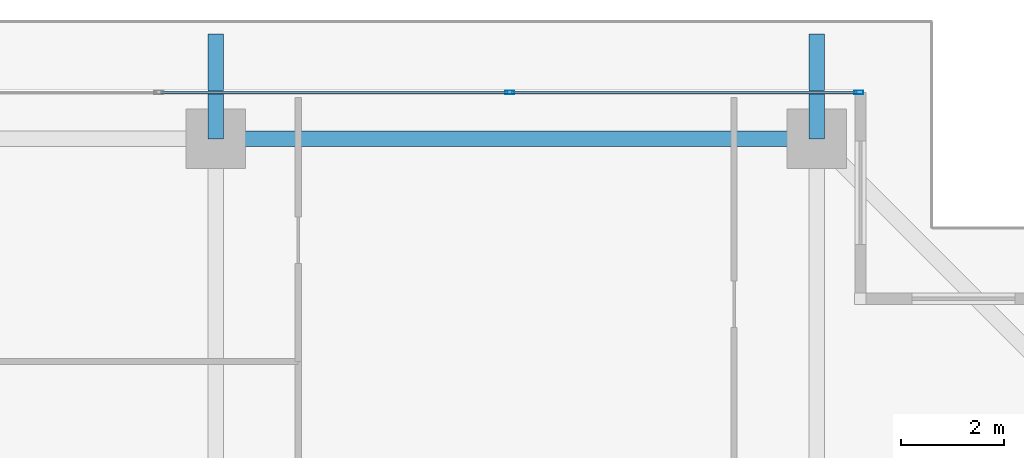
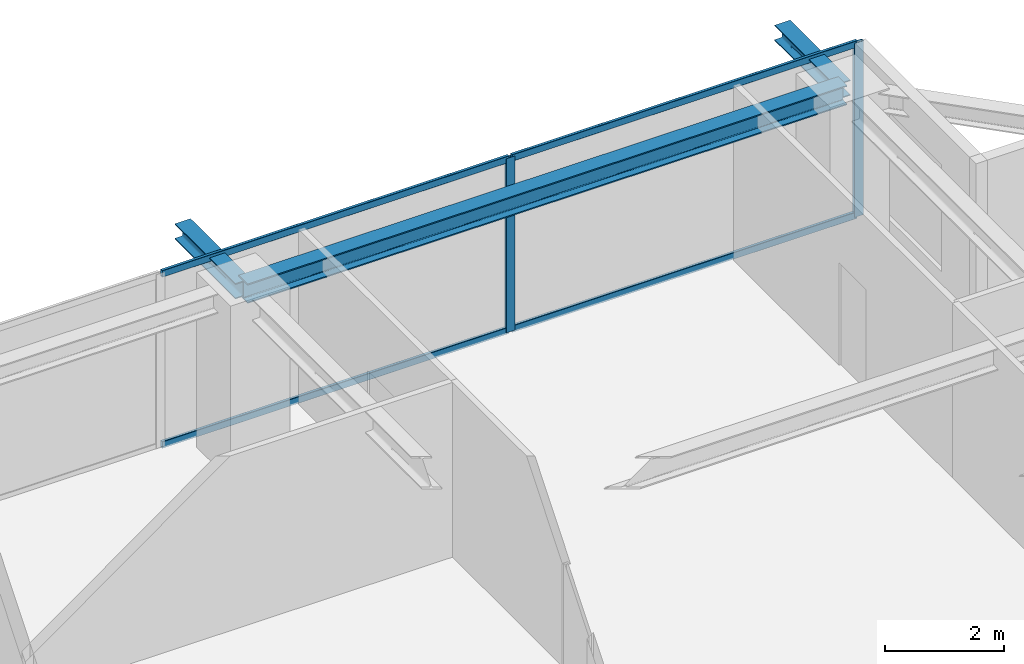
# One storey, part 23 of 36: 6 members, 3 beams, 1 element without a shape of its own.
"""IFC4 building model written with IfcOpenShell, lengths in metres."""

import ifcopenshell
import ifcopenshell.guid

model = None  # the IFC model being written
_history = None  # IfcOwnerHistory: only IFC2X3 demands one
_inside = {}  # id of a spatial element -> (the spatial element, [elements in it])
_under = {}  # id of a project, library or spatial element -> (it, [spatial elements below it])
_declared = {}  # id of a project -> (the project, [libraries it declares])
_typed = {}  # id of a type object -> (the type object, [elements of that type])
_made_of = {}  # id of a material, layer set ... -> (it, [elements and type objects made of it])


def new_model(schema):
    """Start an empty IFC model of exactly this schema.

    Asked for "IFC4X3", IfcOpenShell would pick the latest addendum, in which some entities
    have other attributes; the version numbers below select the first issue.
    IFC2X3 requires an IfcOwnerHistory on every rooted entity: one is made here for all.
    """
    global model, _history
    if schema == "IFC4X3":
        model = ifcopenshell.file(schema_version=(4, 3, 0, 0))
    else:
        model = ifcopenshell.file(schema=schema)
    _inside.clear()
    _under.clear()
    _declared.clear()
    _typed.clear()
    _made_of.clear()
    _history = None
    if model.schema == "IFC2X3":
        org = make("IfcOrganization", Name="unknown")
        user = make(
            "IfcPersonAndOrganization",
            ThePerson=make("IfcPerson", FamilyName="unknown"),
            TheOrganization=org,
        )
        app = make(
            "IfcApplication",
            ApplicationDeveloper=org,
            Version="unknown",
            ApplicationFullName="unknown",
            ApplicationIdentifier="unknown",
        )
        _history = make(
            "IfcOwnerHistory",
            OwningUser=user,
            OwningApplication=app,
            ChangeAction="ADDED",
            CreationDate=0,
        )
    return model


def make(cls, **values):
    """One entity of the class cls with the attributes given. An attribute that is None is left unset."""
    return model.create_entity(
        cls, **{name: value for name, value in values.items() if value is not None}
    )


def rooted(cls, **values):
    """An entity with a GlobalId (a new one), such as an element, a storey or a relation."""
    return make(cls, GlobalId=ifcopenshell.guid.new(), OwnerHistory=_history, **values)


def si_unit(unit_type, name, prefix=None):
    """IfcSIUnit, for example si_unit("LENGTHUNIT", "METRE", prefix="MILLI")."""
    return make("IfcSIUnit", UnitType=unit_type, Prefix=prefix, Name=name)


def assignment(units):
    """IfcUnitAssignment: the units of a project."""
    return None if units is None else make("IfcUnitAssignment", Units=units)


def point(xyz):
    """IfcCartesianPoint."""
    return None if xyz is None else make("IfcCartesianPoint", Coordinates=xyz)


def direction(xyz):
    """IfcDirection."""
    return None if xyz is None else make("IfcDirection", DirectionRatios=xyz)


def frame(location, z_axis=None, x_axis=None):
    """IfcAxis2Placement3D, a coordinate frame: its origin and axes. An axis left out is left unset."""
    return make(
        "IfcAxis2Placement3D",
        Location=point(location),
        Axis=direction(z_axis),
        RefDirection=direction(x_axis),
    )


def frame_2d(location, x_axis=None):
    """IfcAxis2Placement2D, a coordinate frame in the plane: its origin and x axis."""
    return make(
        "IfcAxis2Placement2D", Location=point(location), RefDirection=direction(x_axis)
    )


def origin():
    """The frame at (0, 0, 0) with its axes left unset."""
    return frame((0.0, 0.0, 0.0))


def origin_2d():
    """The frame at (0, 0) in the plane with its x axis left unset."""
    return frame_2d((0.0, 0.0))


def place(relative_to, where):
    """IfcLocalPlacement: puts the frame where relative to a parent placement (None: the world)."""
    return make(
        "IfcLocalPlacement", PlacementRelTo=relative_to, RelativePlacement=where
    )


def context(
    kind, dimensions, precision=None, world=None, true_north=None, identifier=None
):
    """IfcGeometricRepresentationContext, for example the 3D "Model" context."""
    return make(
        "IfcGeometricRepresentationContext",
        ContextIdentifier=identifier,
        ContextType=kind,
        CoordinateSpaceDimension=dimensions,
        Precision=precision,
        WorldCoordinateSystem=world,
        TrueNorth=true_north,
    )


def subcontext(parent, identifier, kind, view, scale=None):
    """IfcGeometricRepresentationSubContext, for example "Body" below "Model"."""
    return make(
        "IfcGeometricRepresentationSubContext",
        ContextIdentifier=identifier,
        ContextType=kind,
        ParentContext=parent,
        TargetScale=scale,
        TargetView=view,
    )


def project(units=None, contexts=None):
    """IfcProject with its units and contexts."""
    return rooted(
        "IfcProject",
        Name="project",
        RepresentationContexts=contexts,
        UnitsInContext=assignment(units),
    )


def spatial(cls, under=None, at=None, **own):
    """A site, building, storey or space (cls), placed at a placement, below another one or the project."""
    s = rooted(cls, ObjectPlacement=at, **own)
    if under is not None:
        _under.setdefault(under.id(), (under, []))[1].append(s)
    return s


def profile(cls, at=None, kind="AREA", **sizes):
    """A parametric profile (cls). Its sizes go by their IFC names, for example OverallWidth=200.0."""
    return make(cls, ProfileType=kind, Position=at, **sizes)


def hollow_rectangle(**sizes):
    """IfcRectangleHollowProfileDef."""
    return profile("IfcRectangleHollowProfileDef", **sizes)


def i_section(**sizes):
    """IfcIShapeProfileDef."""
    return profile("IfcIShapeProfileDef", **sizes)


def extrude(swept, where, along, depth):
    """IfcExtrudedAreaSolid: the profile swept, set in the frame where, extruded along a direction by depth."""
    return make(
        "IfcExtrudedAreaSolid",
        SweptArea=swept,
        Position=where,
        ExtrudedDirection=direction(along),
        Depth=depth,
    )


def shape(context_of_items, identifier, shape_type, items):
    """IfcShapeRepresentation: the items that make up one representation, for example the "Body"."""
    return make(
        "IfcShapeRepresentation",
        ContextOfItems=context_of_items,
        RepresentationIdentifier=identifier,
        RepresentationType=shape_type,
        Items=items,
    )


def source(mapping_origin, context_of_items, identifier, shape_type, items):
    """IfcRepresentationMap: a shape defined once, which mapped items show again and again."""
    return make(
        "IfcRepresentationMap",
        MappingOrigin=mapping_origin,
        MappedRepresentation=shape(context_of_items, identifier, shape_type, items),
    )


def transform(
    local_origin,
    x_axis=None,
    y_axis=None,
    z_axis=None,
    scale=None,
    scale2=None,
    scale3=None,
    uniform=True,
):
    """IfcCartesianTransformationOperator3D, or its non-uniform kind. x_axis, y_axis, z_axis: its Axis1, 2, 3."""
    if uniform:
        return make(
            "IfcCartesianTransformationOperator3D",
            Axis1=direction(x_axis),
            Axis2=direction(y_axis),
            LocalOrigin=point(local_origin),
            Scale=scale,
            Axis3=direction(z_axis),
        )
    return make(
        "IfcCartesianTransformationOperator3DnonUniform",
        Axis1=direction(x_axis),
        Axis2=direction(y_axis),
        LocalOrigin=point(local_origin),
        Scale=scale,
        Axis3=direction(z_axis),
        Scale2=scale2,
        Scale3=scale3,
    )


def mapped(mapping_source, mapping_target):
    """IfcMappedItem: shows the shape of a source again, moved by a transform."""
    return make(
        "IfcMappedItem", MappingSource=mapping_source, MappingTarget=mapping_target
    )


def material(Name=None, Category=None):
    """IfcMaterial."""
    return make("IfcMaterial", Name=Name, Category=Category)


def layer(
    of_material, thickness, ventilated=None, Name=None, Category=None, Priority=None
):
    """IfcMaterialLayer: one layer of a wall or slab, of a material (None: an air gap)."""
    return make(
        "IfcMaterialLayer",
        Material=of_material,
        LayerThickness=thickness,
        IsVentilated=ventilated,
        Name=Name,
        Category=Category,
        Priority=Priority,
    )


def layer_set(layers, Name=None):
    """IfcMaterialLayerSet."""
    return make("IfcMaterialLayerSet", MaterialLayers=layers, LayerSetName=Name)


def material_profile(
    of_material, cross_section, Name=None, Category=None, Priority=None
):
    """IfcMaterialProfile: a cross section and its material."""
    return make(
        "IfcMaterialProfile",
        Name=Name,
        Material=of_material,
        Profile=cross_section,
        Priority=Priority,
        Category=Category,
    )


def profile_set(profiles, Name=None, composite=None):
    """IfcMaterialProfileSet."""
    return make(
        "IfcMaterialProfileSet",
        Name=Name,
        MaterialProfiles=profiles,
        CompositeProfile=composite,
    )


def made_of(thing, what):
    """Note that an element or type object is made of a material, layer set ...; save() writes the relation."""
    if what is not None:
        _made_of.setdefault(what.id(), (what, []))[1].append(thing)
    return thing


def type_object(cls, material=None, **own):
    """A type object (cls), such as IfcWallType, which elements share."""
    return made_of(rooted(cls, **own), material)


def element(
    cls,
    number,
    at=None,
    inside=None,
    cuts=None,
    type_object=None,
    material=None,
    context=None,
    identifier="Body",
    shape_type=None,
    held_by="IfcProductDefinitionShape",
    body=None,
    shapes=None,
    **own,
):
    """One element of the class cls, such as IfcWall. Its Tag is "e" and its number.

    at: its placement. inside: the storey or other place that contains it. cuts: it is an
    opening in that element (IfcRelVoidsElement). A single representation is given by context,
    identifier, shape_type and body (its items); several are given by shapes. held_by: the class
    of the entity that holds the representations. save() writes the other relations.
    """
    e = rooted(cls, Tag="e%d" % number, ObjectPlacement=at, **own)
    if body is not None:
        shapes = [shape(context, identifier, shape_type, body)]
    if shapes is not None:
        e.Representation = make(held_by, Representations=shapes)
    if inside is not None:
        _inside.setdefault(inside.id(), (inside, []))[1].append(e)
    if cuts is not None:
        rooted(
            "IfcRelVoidsElement", RelatingBuildingElement=cuts, RelatedOpeningElement=e
        )
    if type_object is not None:
        _typed.setdefault(type_object.id(), (type_object, []))[1].append(e)
    return made_of(e, material)


def aggregate(whole, parts):
    """IfcRelAggregates: a whole, such as a stair, and the parts it consists of."""
    return rooted("IfcRelAggregates", RelatingObject=whole, RelatedObjects=parts)


def save(model, path):
    """Write the relations noted so far, then the file.

    IfcRelAggregates (storeys below a building ...), IfcRelContainedInSpatialStructure (elements
    in a storey), IfcRelDefinesByType, IfcRelAssociatesMaterial and IfcRelDeclares: one each for
    every whole, place, type object, material and project.
    """
    for whole, parts in _under.values():
        aggregate(whole, parts)
    for where, things in _inside.values():
        rooted(
            "IfcRelContainedInSpatialStructure",
            RelatedElements=things,
            RelatingStructure=where,
        )
    for kind, things in _typed.values():
        rooted("IfcRelDefinesByType", RelatedObjects=things, RelatingType=kind)
    for what, things in _made_of.values():
        rooted("IfcRelAssociatesMaterial", RelatedObjects=things, RelatingMaterial=what)
    for by, libraries in _declared.values():
        rooted("IfcRelDeclares", RelatingContext=by, RelatedDefinitions=libraries)
    model.write(path)


model = new_model("IFC4")

# Units and contexts
model_context = context("Model", 3, precision=1e-05, world=origin(), true_north=direction((0.0, 1.0)))
body_context = subcontext(model_context, "Body", "Model", "MODEL_VIEW")
ifc_project = project(units=[si_unit("LENGTHUNIT", "METRE"), si_unit("AREAUNIT", "SQUARE_METRE"), si_unit("VOLUMEUNIT", "CUBIC_METRE"), si_unit("PLANEANGLEUNIT", "RADIAN"), si_unit("MASSUNIT", "GRAM", prefix="KILO")], contexts=[model_context])

# Site, building, storey
site_placement = place(None, origin())
site = spatial("IfcSite", under=ifc_project, at=site_placement, CompositionType="ELEMENT")
building_placement = place(site_placement, origin())
building = spatial("IfcBuilding", under=site, at=building_placement, Name="Serunith Strait Residences", CompositionType="ELEMENT")
storey_placement = place(building_placement, frame((0.0, 0.0, 256.64990234375)))
storey = spatial("IfcBuildingStorey", under=building, at=storey_placement, Name="L64", CompositionType="ELEMENT", Elevation=256.64990234375)

# Beams
ifc_material_1 = material(Name="Steel S355J2", Category="steel")
ifc_material_profile_1 = material_profile(ifc_material_1, i_section(OverallWidth=0.300048828125, OverallDepth=0.39990234375, WebThickness=0.013427734375, FlangeThickness=0.02392578125, FilletRadius=0.027099609375, at=origin_2d()), Name="HEB 400")
ifc_profile_set_1 = profile_set([ifc_material_profile_1], Name="Steel S355J2")
beam_type_1 = type_object("IfcBeamType", Name="BM-HEB400", PredefinedType="BEAM", material=ifc_profile_set_1)
shared_shape_1 = source(origin(), body_context, "Body", "SweptSolid", [
    extrude(i_section(OverallWidth=0.300048828125, OverallDepth=0.39990234375, WebThickness=0.013427734375, FlangeThickness=0.02392578125, FilletRadius=0.027099609375, at=origin_2d()), origin(), (0.0, 0.0, 1.0), 11.650146484375),
])
beam_placement = place(storey_placement, frame((48.550048828125, 48.300048828125, 3.38720703125), z_axis=(-1.0, 0.0, 0.0), x_axis=(0.0, -1.0, 0.0)))
element("IfcBeam", 1, at=beam_placement, inside=storey, type_object=beam_type_1, Name="L64 Perimeter Ring Beam 09", PredefinedType="BEAM", context=body_context, shape_type="MappedRepresentation", body=[
    mapped(shared_shape_1, transform((0.0, 0.0, 0.0), scale=1.0)),
])
ifc_material_profile_2 = material_profile(ifc_material_1, i_section(OverallWidth=0.300048828125, OverallDepth=0.320068359375, WebThickness=0.011474609375, FlangeThickness=0.0205078125, FilletRadius=0.027099609375, at=origin_2d()), Name="HEB 320")
ifc_profile_set_2 = profile_set([ifc_material_profile_2], Name="Steel S355J2")
beam_type_2 = type_object("IfcBeamType", Name="BM-HEB320", PredefinedType="BEAM", material=ifc_profile_set_2)
shared_shape_2 = source(origin(), body_context, "Body", "SweptSolid", [
    extrude(i_section(OverallWidth=0.300048828125, OverallDepth=0.320068359375, WebThickness=0.011474609375, FlangeThickness=0.0205078125, FilletRadius=0.027099609375, at=origin_2d()), origin(), (0.0, 0.0, 1.0), 2.030029296875),
])
for number, where, z_axis, x_axis, name in (
    (2, (36.89990234375, 48.300048828125, 3.397216796875), (0.0, 1.0, 0.0), (-1.0, 0.0, 0.0), "L65 Cantilevered Balcony Rib TC-N3"),
    (3, (48.550048828125, 48.300048828125, 3.397216796875), (0.0, 1.0, 0.0), (-1.0, 0.0, 0.0), "L65 Cantilevered Balcony Rib TC-N4"),
):
    element("IfcBeam", number, at=place(storey_placement, frame(where, z_axis=z_axis, x_axis=x_axis)), inside=storey, type_object=beam_type_2, Name=name, PredefinedType="BEAM", context=body_context, shape_type="MappedRepresentation", body=[
        mapped(shared_shape_2, transform((0.0, 0.0, 0.0), scale=1.0)),
    ])

# Curtain wall, members
ifc_material_2 = material(Name="Pale-Champagne Anodised Aluminium", Category="aluminium")
ifc_layer = layer(ifc_material_2, 0.199951171875, Name="Pale-Champagne Anodised Aluminium")
ifc_layer_set = layer_set([ifc_layer], Name="Pale-Champagne Anodised Aluminium")
curtain_wall_type = type_object("IfcCurtainWallType", Name="CW-SYS4", PredefinedType="NOTDEFINED", material=ifc_layer_set)
curtain_wall_placement = place(storey_placement, origin())
curtain_wall = element("IfcCurtainWall", 4, at=curtain_wall_placement, inside=storey, type_object=curtain_wall_type, Name="L64 N Unitised Fritted Curtain Wall", PredefinedType="NOTDEFINED")
ifc_material_profile_3 = material_profile(ifc_material_2, hollow_rectangle(XDim=0.06005859375, YDim=0.139892578125, WallThickness=0.00341796875, InnerFilletRadius=0.00537109375, OuterFilletRadius=0.0087890625, at=origin_2d()), Name="ALU 140x60x3.5")
ifc_profile_set_3 = profile_set([ifc_material_profile_3], Name="Pale-Champagne Anodised Aluminium")
member_type_1 = type_object("IfcMemberType", Name="CW-SYS4-TRAN", PredefinedType="USERDEFINED", material=ifc_profile_set_3)
shared_shape_3 = source(origin(), body_context, "Body", "SweptSolid", [
    extrude(hollow_rectangle(XDim=0.06005859375, YDim=0.139892578125, WallThickness=0.00341796875, InnerFilletRadius=0.00537109375, OuterFilletRadius=0.0087890625, at=origin_2d()), origin(), (0.0, 0.0, 1.0), 6.702392578125),
])
member_1_placement = place(storey_placement, frame((49.3349609375, 49.199951171875, 0.030029296875), z_axis=(-1.0, 0.0, 0.0), x_axis=(0.0, -1.0, 0.0)))
member_1 = element("IfcMember", 5, at=member_1_placement, type_object=member_type_1, Name="CW-4 transom 1.1", ObjectType="TRANSOM", PredefinedType="USERDEFINED", context=body_context, shape_type="MappedRepresentation", body=[
    mapped(shared_shape_3, transform((0.0, 0.0, 0.0), scale=1.0)),
])
member_2_placement = place(storey_placement, frame((49.3349609375, 49.199951171875, 3.545166015625), z_axis=(-1.0, 0.0, 0.0), x_axis=(0.0, -1.0, 0.0)))
member_2 = element("IfcMember", 6, at=member_2_placement, type_object=member_type_1, Name="CW-4 transom 1.2", ObjectType="TRANSOM", PredefinedType="USERDEFINED", context=body_context, shape_type="MappedRepresentation", body=[
    mapped(shared_shape_3, transform((0.0, 0.0, 0.0), scale=1.0)),
])
shared_shape_4 = source(origin(), body_context, "Body", "SweptSolid", [
    extrude(hollow_rectangle(XDim=0.06005859375, YDim=0.139892578125, WallThickness=0.00341796875, InnerFilletRadius=0.00537109375, OuterFilletRadius=0.0087890625, at=origin_2d()), origin(), (0.0, 0.0, 1.0), 6.73486328125),
])
member_3_placement = place(storey_placement, frame((42.5673828125, 49.199951171875, 0.030029296875), z_axis=(-1.0, 0.0, 0.0), x_axis=(0.0, -1.0, 0.0)))
member_3 = element("IfcMember", 7, at=member_3_placement, type_object=member_type_1, Name="CW-4 transom 2.1", ObjectType="TRANSOM", PredefinedType="USERDEFINED", context=body_context, shape_type="MappedRepresentation", body=[
    mapped(shared_shape_4, transform((0.0, 0.0, 0.0), scale=1.0)),
])
member_4_placement = place(storey_placement, frame((42.5673828125, 49.199951171875, 3.545166015625), z_axis=(-1.0, 0.0, 0.0), x_axis=(0.0, -1.0, 0.0)))
member_4 = element("IfcMember", 8, at=member_4_placement, type_object=member_type_1, Name="CW-4 transom 2.2", ObjectType="TRANSOM", PredefinedType="USERDEFINED", context=body_context, shape_type="MappedRepresentation", body=[
    mapped(shared_shape_4, transform((0.0, 0.0, 0.0), scale=1.0)),
])
ifc_material_profile_4 = material_profile(ifc_material_2, hollow_rectangle(XDim=0.06494140625, YDim=0.179931640625, WallThickness=0.00341796875, InnerFilletRadius=0.00537109375, OuterFilletRadius=0.0087890625, at=origin_2d()), Name="ALU 180x65x3.5")
ifc_profile_set_4 = profile_set([ifc_material_profile_4], Name="Pale-Champagne Anodised Aluminium")
member_type_2 = type_object("IfcMemberType", Name="CW-SYS4-MULL", PredefinedType="MULLION", material=ifc_profile_set_4)
shared_shape_5 = source(origin(), body_context, "Body", "SweptSolid", [
    extrude(hollow_rectangle(XDim=0.06494140625, YDim=0.179931640625, WallThickness=0.00341796875, InnerFilletRadius=0.00537109375, OuterFilletRadius=0.0087890625, at=origin_2d()), origin(), (0.0, 0.0, 1.0), 3.5751953125),
])
member_5_placement = place(storey_placement, frame((49.367431640625, 49.199951171875, 0.0), z_axis=(0.0, 0.0, 1.0), x_axis=(0.0, -1.0, 0.0)))
member_5 = element("IfcMember", 9, at=member_5_placement, type_object=member_type_2, Name="CW-4 mullion 1", PredefinedType="MULLION", context=body_context, shape_type="MappedRepresentation", body=[
    mapped(shared_shape_5, transform((0.0, 0.0, 0.0), scale=1.0)),
])
member_6_placement = place(storey_placement, frame((42.60009765625, 49.199951171875, 0.0), z_axis=(0.0, 0.0, 1.0), x_axis=(0.0, -1.0, 0.0)))
member_6 = element("IfcMember", 10, at=member_6_placement, type_object=member_type_2, Name="CW-4 mullion 2", PredefinedType="MULLION", context=body_context, shape_type="MappedRepresentation", body=[
    mapped(shared_shape_5, transform((0.0, 0.0, 0.0), scale=1.0)),
])
aggregate(curtain_wall, [member_5, member_6, member_1, member_2, member_3, member_4])

save(model, "model.ifc")
